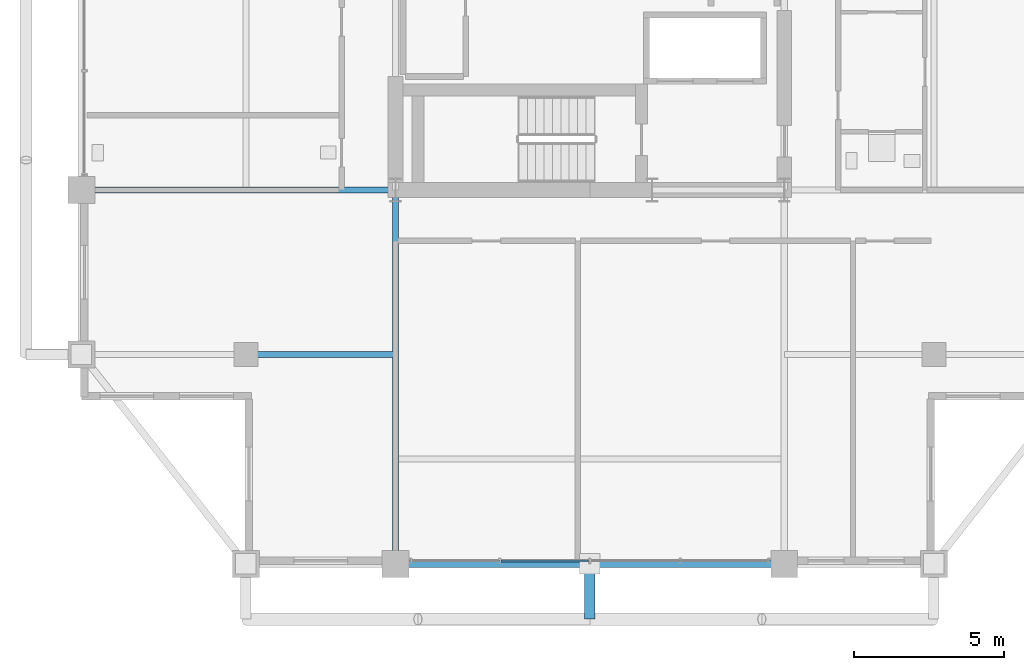
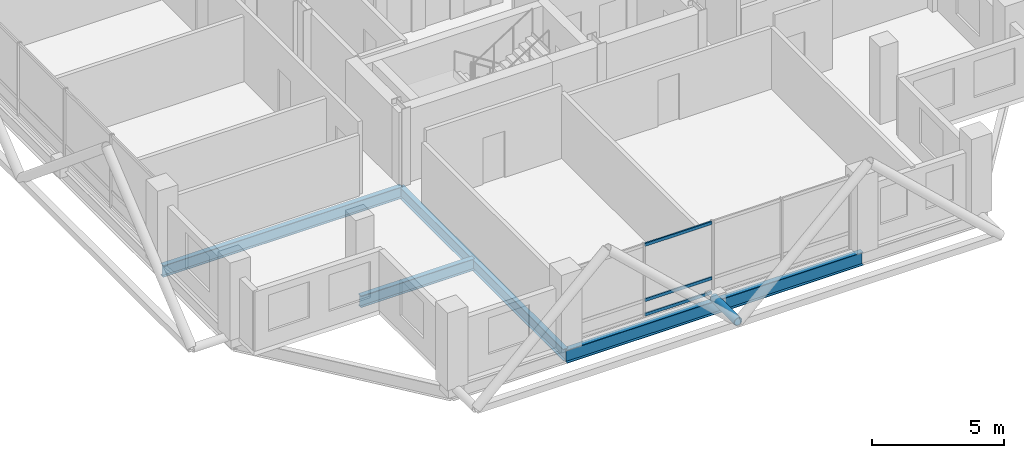
# One storey, part 4 of 24: 4 beams, 4 members, 1 element without a shape of its own.
"""IFC4 building model written with IfcOpenShell, lengths in metres."""

from ifc_helpers import new_model, si_unit, direction, frame, origin, origin_2d, place, context, subcontext, project, spatial, hollow_rectangle, hollow_circle, i_section, extrude, material, layer, layer_set, material_profile, profile_set, type_object, element, aggregate, save


model = new_model("IFC4")

# Units and contexts
model_context = context("Model", 3, precision=1e-05, world=origin(), true_north=direction((0.0, 1.0)))
body_context = subcontext(model_context, "Body", "Model", "MODEL_VIEW")
ifc_project = project(units=[si_unit("LENGTHUNIT", "METRE"), si_unit("AREAUNIT", "SQUARE_METRE"), si_unit("VOLUMEUNIT", "CUBIC_METRE"), si_unit("PLANEANGLEUNIT", "RADIAN"), si_unit("MASSUNIT", "GRAM", prefix="KILO")], contexts=[model_context])

# Site, building, storey
site_placement = place(None, origin())
site = spatial("IfcSite", under=ifc_project, at=site_placement, CompositionType="ELEMENT")
building_placement = place(site_placement, origin())
building = spatial("IfcBuilding", under=site, at=building_placement, Name="Barlavira Tower and Art Museum", CompositionType="ELEMENT")
storey_placement = place(building_placement, frame((0.0, 0.0, 283.5)))
storey = spatial("IfcBuildingStorey", under=building, at=storey_placement, Name="L74", CompositionType="ELEMENT", Elevation=283.5)

# Curtain wall, members
ifc_material_1 = material(Name="Low-iron coastal laminated glass", Category="glass")
ifc_layer = layer(ifc_material_1, 0.2099609375, Name="Low-iron coastal laminated glass")
ifc_layer_set = layer_set([ifc_layer], Name="Low-iron coastal laminated glass")
curtain_wall_type = type_object("IfcCurtainWallType", Name="Pale-Metal Unitised Curtain Wall Zone 4", PredefinedType="NOTDEFINED", material=ifc_layer_set)
curtain_wall_placement = place(storey_placement, origin())
curtain_wall = element("IfcCurtainWall", 1, at=curtain_wall_placement, inside=storey, type_object=curtain_wall_type, Name="L74 Curtain Wall CW4-L74-S-B2", PredefinedType="NOTDEFINED")
ifc_material_2 = material(Name="Pale anodised aluminium", Category="aluminium")
ifc_material_profile_1 = material_profile(ifc_material_2, hollow_rectangle(XDim=0.06494140625, YDim=0.139892578125, WallThickness=0.00390625, at=origin_2d()), Name="ALU-TRAN 65x140x4")
ifc_profile_set_1 = profile_set([ifc_material_profile_1], Name="Pale anodised aluminium")
member_type_1 = type_object("IfcMemberType", Name="Curtain Wall Pale-Metal Transom 65x140", PredefinedType="USERDEFINED", material=ifc_profile_set_1)
member_1_placement = place(storey_placement, frame((-2.969970703125, -19.89990234375, 0.070068359375), z_axis=(1.0, 0.0, 0.0), x_axis=(0.0, 1.0, 0.0)))
member_1 = element("IfcMember", 2, at=member_1_placement, type_object=member_type_1, Name="CW4-L74-S-B2 Transom 1.1", ObjectType="TRANSOM", PredefinedType="USERDEFINED", context=body_context, shape_type="SweptSolid", body=[
    extrude(hollow_rectangle(XDim=0.06494140625, YDim=0.139892578125, WallThickness=0.00390625, at=origin_2d()), origin(), (0.0, 0.0, 1.0), 2.925048828125),
])
member_2_placement = place(storey_placement, frame((-2.969970703125, -19.89990234375, 0.743896484375), z_axis=(1.0, 0.0, 0.0), x_axis=(0.0, 1.0, 0.0)))
member_2 = element("IfcMember", 3, at=member_2_placement, type_object=member_type_1, Name="CW4-L74-S-B2 Transom 1.2", ObjectType="TRANSOM", PredefinedType="USERDEFINED", context=body_context, shape_type="SweptSolid", body=[
    extrude(hollow_rectangle(XDim=0.06494140625, YDim=0.139892578125, WallThickness=0.00390625, at=origin_2d()), origin(), (0.0, 0.0, 1.0), 2.925048828125),
])
member_3_placement = place(storey_placement, frame((-2.969970703125, -19.89990234375, 3.31005859375), z_axis=(1.0, 0.0, 0.0), x_axis=(0.0, 1.0, 0.0)))
member_3 = element("IfcMember", 4, at=member_3_placement, type_object=member_type_1, Name="CW4-L74-S-B2 Transom 1.3", ObjectType="TRANSOM", PredefinedType="USERDEFINED", context=body_context, shape_type="SweptSolid", body=[
    extrude(hollow_rectangle(XDim=0.06494140625, YDim=0.139892578125, WallThickness=0.00390625, at=origin_2d()), origin(), (0.0, 0.0, 1.0), 2.925048828125),
])
aggregate(curtain_wall, [member_1, member_2, member_3])

# Member
ifc_material_3 = material(Name="Steel S355", Category="steel")
ifc_material_profile_2 = material_profile(ifc_material_3, hollow_circle(Radius=0.177734375, WallThickness=0.01611328125, at=origin_2d()), Name="CHS 355.6x16.0")
ifc_profile_set_2 = profile_set([ifc_material_profile_2], Name="Steel S355")
member_type_2 = type_object("IfcMemberType", Name="Pale-Metal Exoskeleton Tie Strut CHS 356x16 Steel S355", PredefinedType="STRUT", material=ifc_profile_set_2)
member_4_placement = place(storey_placement, frame((0.0, -21.85009765625, -0.1201171875), z_axis=(0.0, 1.0, 0.0), x_axis=(-1.0, 0.0, 0.0)))
element("IfcMember", 5, at=member_4_placement, inside=storey, type_object=member_type_2, Name="L74 Exoskeleton Tie Strut S2", PredefinedType="STRUT", context=body_context, shape_type="SweptSolid", body=[
    extrude(hollow_circle(Radius=0.177734375, WallThickness=0.01611328125, at=origin_2d()), origin(), (0.0, 0.0, 1.0), 1.85009765625),
])

# Beams
ifc_material_profile_3 = material_profile(ifc_material_3, i_section(OverallWidth=0.22998046875, OverallDepth=0.616943359375, WebThickness=0.01318359375, FlangeThickness=0.022216796875, at=origin_2d()), Name="W610x140.0")
ifc_profile_set_3 = profile_set([ifc_material_profile_3], Name="Steel S355")
beam_type_1 = type_object("IfcBeamType", Name="Upper Shaft Spandrel Edge Beam W610x140 Steel S355", PredefinedType="SPANDREL", material=ifc_profile_set_3)
beam_1_placement = place(storey_placement, frame((-6.5, -20.0, -0.528564453125), z_axis=(1.0, 0.0, 0.0), x_axis=(0.0, 1.0, 0.0)))
element("IfcBeam", 6, at=beam_1_placement, inside=storey, type_object=beam_type_1, Name="L74 Spandrel 2", PredefinedType="SPANDREL", context=body_context, shape_type="SweptSolid", body=[
    extrude(i_section(OverallWidth=0.22998046875, OverallDepth=0.616943359375, WebThickness=0.01318359375, FlangeThickness=0.022216796875, at=origin_2d()), origin(), (0.0, 0.0, 1.0), 13.0),
])
ifc_material_profile_4 = material_profile(ifc_material_3, i_section(OverallWidth=0.2109375, OverallDepth=0.5390625, WebThickness=0.01171875, FlangeThickness=0.018798828125, at=origin_2d()), Name="W530x109.0")
ifc_profile_set_4 = profile_set([ifc_material_profile_4], Name="Steel S355")
beam_type_2 = type_object("IfcBeamType", Name="Zone 3-4 Primary Floor Girder W530x109 Steel S355", PredefinedType="BEAM", material=ifc_profile_set_4)
beam_2_placement = place(storey_placement, frame((-6.5, -20.0, -0.489501953125), z_axis=(0.0, 1.0, 0.0), x_axis=(-1.0, 0.0, 0.0)))
element("IfcBeam", 7, at=beam_2_placement, inside=storey, type_object=beam_type_2, Name="L74 Girder R-S1", PredefinedType="BEAM", context=body_context, shape_type="SweptSolid", body=[
    extrude(i_section(OverallWidth=0.2109375, OverallDepth=0.5390625, WebThickness=0.01171875, FlangeThickness=0.018798828125, at=origin_2d()), origin(), (0.0, 0.0, 1.0), 12.5),
])
beam_3_placement = place(storey_placement, frame((-17.0, -7.5, -0.489501953125), z_axis=(1.0, 0.0, 0.0), x_axis=(0.0, 1.0, 0.0)))
element("IfcBeam", 8, at=beam_3_placement, inside=storey, type_object=beam_type_2, Name="L74 Girder R-W1", PredefinedType="BEAM", context=body_context, shape_type="SweptSolid", body=[
    extrude(i_section(OverallWidth=0.2109375, OverallDepth=0.5390625, WebThickness=0.01171875, FlangeThickness=0.018798828125, at=origin_2d()), origin(), (0.0, 0.0, 1.0), 10.5),
])
beam_4_placement = place(storey_placement, frame((-11.5, -13.0, -0.489501953125), z_axis=(1.0, 0.0, 0.0), x_axis=(0.0, 1.0, 0.0)))
element("IfcBeam", 9, at=beam_4_placement, inside=storey, type_object=beam_type_2, Name="L74 Girder I-S2", PredefinedType="BEAM", context=body_context, shape_type="SweptSolid", body=[
    extrude(i_section(OverallWidth=0.2109375, OverallDepth=0.5390625, WebThickness=0.01171875, FlangeThickness=0.018798828125, at=origin_2d()), origin(), (0.0, 0.0, 1.0), 5.0),
])

save(model, "model.ifc")
